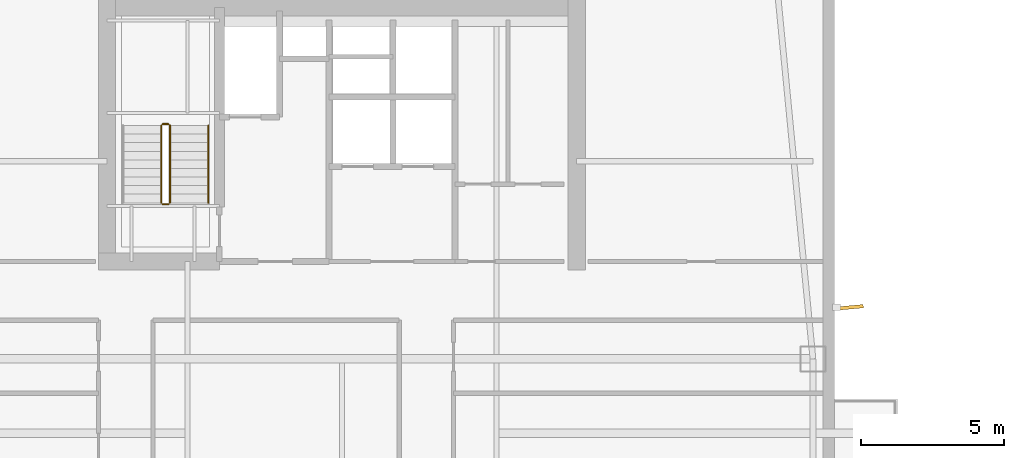
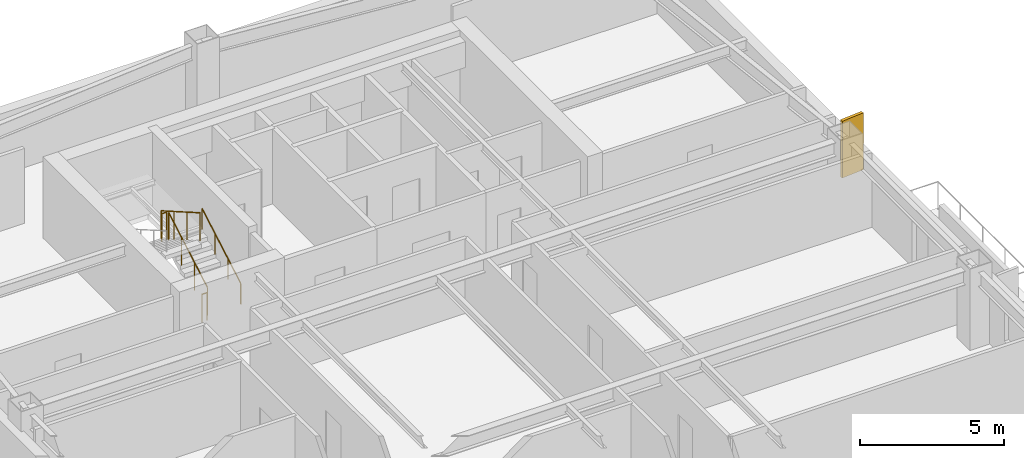
# One storey, part 16 of 18: 5 railings, 1 shading device.
"""IFC4 building model written with IfcOpenShell, lengths in metres."""

import ifcopenshell
import ifcopenshell.guid

model = None  # the IFC model being written
_history = None  # IfcOwnerHistory: only IFC2X3 demands one
_inside = {}  # id of a spatial element -> (the spatial element, [elements in it])
_under = {}  # id of a project, library or spatial element -> (it, [spatial elements below it])
_declared = {}  # id of a project -> (the project, [libraries it declares])
_typed = {}  # id of a type object -> (the type object, [elements of that type])
_made_of = {}  # id of a material, layer set ... -> (it, [elements and type objects made of it])


def new_model(schema):
    """Start an empty IFC model of exactly this schema.

    Asked for "IFC4X3", IfcOpenShell would pick the latest addendum, in which some entities
    have other attributes; the version numbers below select the first issue.
    IFC2X3 requires an IfcOwnerHistory on every rooted entity: one is made here for all.
    """
    global model, _history
    if schema == "IFC4X3":
        model = ifcopenshell.file(schema_version=(4, 3, 0, 0))
    else:
        model = ifcopenshell.file(schema=schema)
    _inside.clear()
    _under.clear()
    _declared.clear()
    _typed.clear()
    _made_of.clear()
    _history = None
    if model.schema == "IFC2X3":
        org = make("IfcOrganization", Name="unknown")
        user = make(
            "IfcPersonAndOrganization",
            ThePerson=make("IfcPerson", FamilyName="unknown"),
            TheOrganization=org,
        )
        app = make(
            "IfcApplication",
            ApplicationDeveloper=org,
            Version="unknown",
            ApplicationFullName="unknown",
            ApplicationIdentifier="unknown",
        )
        _history = make(
            "IfcOwnerHistory",
            OwningUser=user,
            OwningApplication=app,
            ChangeAction="ADDED",
            CreationDate=0,
        )
    return model


def make(cls, **values):
    """One entity of the class cls with the attributes given. An attribute that is None is left unset."""
    return model.create_entity(
        cls, **{name: value for name, value in values.items() if value is not None}
    )


def rooted(cls, **values):
    """An entity with a GlobalId (a new one), such as an element, a storey or a relation."""
    return make(cls, GlobalId=ifcopenshell.guid.new(), OwnerHistory=_history, **values)


def si_unit(unit_type, name, prefix=None):
    """IfcSIUnit, for example si_unit("LENGTHUNIT", "METRE", prefix="MILLI")."""
    return make("IfcSIUnit", UnitType=unit_type, Prefix=prefix, Name=name)


def assignment(units):
    """IfcUnitAssignment: the units of a project."""
    return None if units is None else make("IfcUnitAssignment", Units=units)


def point(xyz):
    """IfcCartesianPoint."""
    return None if xyz is None else make("IfcCartesianPoint", Coordinates=xyz)


def direction(xyz):
    """IfcDirection."""
    return None if xyz is None else make("IfcDirection", DirectionRatios=xyz)


def frame(location, z_axis=None, x_axis=None):
    """IfcAxis2Placement3D, a coordinate frame: its origin and axes. An axis left out is left unset."""
    return make(
        "IfcAxis2Placement3D",
        Location=point(location),
        Axis=direction(z_axis),
        RefDirection=direction(x_axis),
    )


def frame_2d(location, x_axis=None):
    """IfcAxis2Placement2D, a coordinate frame in the plane: its origin and x axis."""
    return make(
        "IfcAxis2Placement2D", Location=point(location), RefDirection=direction(x_axis)
    )


def origin():
    """The frame at (0, 0, 0) with its axes left unset."""
    return frame((0.0, 0.0, 0.0))


def origin_2d():
    """The frame at (0, 0) in the plane with its x axis left unset."""
    return frame_2d((0.0, 0.0))


def place(relative_to, where):
    """IfcLocalPlacement: puts the frame where relative to a parent placement (None: the world)."""
    return make(
        "IfcLocalPlacement", PlacementRelTo=relative_to, RelativePlacement=where
    )


def context(
    kind, dimensions, precision=None, world=None, true_north=None, identifier=None
):
    """IfcGeometricRepresentationContext, for example the 3D "Model" context."""
    return make(
        "IfcGeometricRepresentationContext",
        ContextIdentifier=identifier,
        ContextType=kind,
        CoordinateSpaceDimension=dimensions,
        Precision=precision,
        WorldCoordinateSystem=world,
        TrueNorth=true_north,
    )


def subcontext(parent, identifier, kind, view, scale=None):
    """IfcGeometricRepresentationSubContext, for example "Body" below "Model"."""
    return make(
        "IfcGeometricRepresentationSubContext",
        ContextIdentifier=identifier,
        ContextType=kind,
        ParentContext=parent,
        TargetScale=scale,
        TargetView=view,
    )


def project(units=None, contexts=None):
    """IfcProject with its units and contexts."""
    return rooted(
        "IfcProject",
        Name="project",
        RepresentationContexts=contexts,
        UnitsInContext=assignment(units),
    )


def spatial(cls, under=None, at=None, **own):
    """A site, building, storey or space (cls), placed at a placement, below another one or the project."""
    s = rooted(cls, ObjectPlacement=at, **own)
    if under is not None:
        _under.setdefault(under.id(), (under, []))[1].append(s)
    return s


def profile(cls, at=None, kind="AREA", **sizes):
    """A parametric profile (cls). Its sizes go by their IFC names, for example OverallWidth=200.0."""
    return make(cls, ProfileType=kind, Position=at, **sizes)


def rectangle(**sizes):
    """IfcRectangleProfileDef."""
    return profile("IfcRectangleProfileDef", **sizes)


def circle(**sizes):
    """IfcCircleProfileDef."""
    return profile("IfcCircleProfileDef", **sizes)


def extrude(swept, where, along, depth):
    """IfcExtrudedAreaSolid: the profile swept, set in the frame where, extruded along a direction by depth."""
    return make(
        "IfcExtrudedAreaSolid",
        SweptArea=swept,
        Position=where,
        ExtrudedDirection=direction(along),
        Depth=depth,
    )


def shape(context_of_items, identifier, shape_type, items):
    """IfcShapeRepresentation: the items that make up one representation, for example the "Body"."""
    return make(
        "IfcShapeRepresentation",
        ContextOfItems=context_of_items,
        RepresentationIdentifier=identifier,
        RepresentationType=shape_type,
        Items=items,
    )


def material(Name=None, Category=None):
    """IfcMaterial."""
    return make("IfcMaterial", Name=Name, Category=Category)


def layer(
    of_material, thickness, ventilated=None, Name=None, Category=None, Priority=None
):
    """IfcMaterialLayer: one layer of a wall or slab, of a material (None: an air gap)."""
    return make(
        "IfcMaterialLayer",
        Material=of_material,
        LayerThickness=thickness,
        IsVentilated=ventilated,
        Name=Name,
        Category=Category,
        Priority=Priority,
    )


def layer_set(layers, Name=None):
    """IfcMaterialLayerSet."""
    return make("IfcMaterialLayerSet", MaterialLayers=layers, LayerSetName=Name)


def made_of(thing, what):
    """Note that an element or type object is made of a material, layer set ...; save() writes the relation."""
    if what is not None:
        _made_of.setdefault(what.id(), (what, []))[1].append(thing)
    return thing


def type_object(cls, material=None, **own):
    """A type object (cls), such as IfcWallType, which elements share."""
    return made_of(rooted(cls, **own), material)


def element(
    cls,
    number,
    at=None,
    inside=None,
    cuts=None,
    type_object=None,
    material=None,
    context=None,
    identifier="Body",
    shape_type=None,
    held_by="IfcProductDefinitionShape",
    body=None,
    shapes=None,
    **own,
):
    """One element of the class cls, such as IfcWall. Its Tag is "e" and its number.

    at: its placement. inside: the storey or other place that contains it. cuts: it is an
    opening in that element (IfcRelVoidsElement). A single representation is given by context,
    identifier, shape_type and body (its items); several are given by shapes. held_by: the class
    of the entity that holds the representations. save() writes the other relations.
    """
    e = rooted(cls, Tag="e%d" % number, ObjectPlacement=at, **own)
    if body is not None:
        shapes = [shape(context, identifier, shape_type, body)]
    if shapes is not None:
        e.Representation = make(held_by, Representations=shapes)
    if inside is not None:
        _inside.setdefault(inside.id(), (inside, []))[1].append(e)
    if cuts is not None:
        rooted(
            "IfcRelVoidsElement", RelatingBuildingElement=cuts, RelatedOpeningElement=e
        )
    if type_object is not None:
        _typed.setdefault(type_object.id(), (type_object, []))[1].append(e)
    return made_of(e, material)


def aggregate(whole, parts):
    """IfcRelAggregates: a whole, such as a stair, and the parts it consists of."""
    return rooted("IfcRelAggregates", RelatingObject=whole, RelatedObjects=parts)


def save(model, path):
    """Write the relations noted so far, then the file.

    IfcRelAggregates (storeys below a building ...), IfcRelContainedInSpatialStructure (elements
    in a storey), IfcRelDefinesByType, IfcRelAssociatesMaterial and IfcRelDeclares: one each for
    every whole, place, type object, material and project.
    """
    for whole, parts in _under.values():
        aggregate(whole, parts)
    for where, things in _inside.values():
        rooted(
            "IfcRelContainedInSpatialStructure",
            RelatedElements=things,
            RelatingStructure=where,
        )
    for kind, things in _typed.values():
        rooted("IfcRelDefinesByType", RelatedObjects=things, RelatingType=kind)
    for what, things in _made_of.values():
        rooted("IfcRelAssociatesMaterial", RelatedObjects=things, RelatingMaterial=what)
    for by, libraries in _declared.values():
        rooted("IfcRelDeclares", RelatingContext=by, RelatedDefinitions=libraries)
    model.write(path)


model = new_model("IFC4")

# Units and contexts
model_context = context("Model", 3, precision=1e-05, world=origin(), true_north=direction((0.0, 1.0)))
body_context = subcontext(model_context, "Body", "Model", "MODEL_VIEW")
ifc_project = project(units=[si_unit("LENGTHUNIT", "METRE"), si_unit("AREAUNIT", "SQUARE_METRE"), si_unit("VOLUMEUNIT", "CUBIC_METRE"), si_unit("PLANEANGLEUNIT", "RADIAN"), si_unit("MASSUNIT", "GRAM", prefix="KILO")], contexts=[model_context])

# Site, building, storey
site_placement = place(None, origin())
site = spatial("IfcSite", under=ifc_project, at=site_placement, CompositionType="ELEMENT")
building_placement = place(site_placement, origin())
building = spatial("IfcBuilding", under=site, at=building_placement, Name="Qiaolan Cultural Towers", CompositionType="ELEMENT")
storey_placement = place(building_placement, frame((0.0, 0.0, 163.300048828125)))
storey = spatial("IfcBuildingStorey", under=building, at=storey_placement, Name="L43", CompositionType="ELEMENT", Elevation=163.300048828125)

# Railings
ifc_material_1 = material(Name="Galvanized Painted Steel Stair Guardrail", Category="steel")
railing_type_1 = type_object("IfcRailingType", Name="RL-STAIR-GRD", PredefinedType="GUARDRAIL", material=ifc_material_1)
railing_1_placement = place(storey_placement, frame((23.989990234375, 48.449951171875, 0.17236328125)))
element("IfcRailing", 1, at=railing_1_placement, inside=storey, type_object=railing_type_1, Name="L43 ST-W2 stair guard 1", PredefinedType="GUARDRAIL", context=body_context, shape_type="SweptSolid", body=[
    extrude(circle(Radius=0.02392578125, at=origin_2d()), frame((0.0, 0.0, 1.17578125), z_axis=(0.0, 0.866903762492, 0.498475542607), x_axis=(-1.0, 0.0, 0.0)), (0.0, 0.0, 1.0), 3.114501953125),
    extrude(circle(Radius=0.02099609375, at=origin_2d()), origin(), (0.0, 0.0, 1.0), 1.15185546875),
    extrude(circle(Radius=0.02099609375, at=origin_2d()), frame((0.0, 0.89990234375, 0.517578125)), (0.0, 0.0, 1.0), 1.15185546875),
    extrude(circle(Radius=0.02099609375, at=origin_2d()), frame((0.0, 1.800048828125, 1.034912109375)), (0.0, 0.0, 1.0), 1.15185546875),
    extrude(circle(Radius=0.02099609375, at=origin_2d()), frame((0.0, 2.699951171875, 1.552490234375)), (0.0, 0.0, 1.0), 1.15185546875),
])
railing_2_placement = place(storey_placement, frame((23.93994140625, 51.199951171875, 1.724853515625)))
element("IfcRailing", 2, at=railing_2_placement, inside=storey, type_object=railing_type_1, Name="L43 ST-W2 stair guard 2", PredefinedType="GUARDRAIL", context=body_context, shape_type="SweptSolid", body=[
    extrude(circle(Radius=0.02392578125, at=origin_2d()), frame((0.0, 0.0, 1.17578125), z_axis=(-1.0, 0.0, 0.0), x_axis=(0.0, -1.0, 0.0)), (0.0, 0.0, 1.0), 0.199951171875),
    extrude(circle(Radius=0.02099609375, at=origin_2d()), origin(), (0.0, 0.0, 1.0), 1.15185546875),
    extrude(circle(Radius=0.02099609375, at=origin_2d()), frame((-0.199951171875, 0.0, 0.0)), (0.0, 0.0, 1.0), 1.15185546875),
])
railing_3_placement = place(storey_placement, frame((23.68994140625, 51.14990234375, 1.8974609375)))
element("IfcRailing", 3, at=railing_3_placement, inside=storey, type_object=railing_type_1, Name="L43 ST-W2 stair guard 3", PredefinedType="GUARDRAIL", context=body_context, shape_type="SweptSolid", body=[
    extrude(circle(Radius=0.02392578125, at=origin_2d()), frame((0.0, 0.0, 1.17578125), z_axis=(0.0, -0.866903762492, 0.498475542607), x_axis=(1.0, 0.0, 0.0)), (0.0, 0.0, 1.0), 3.114501953125),
    extrude(circle(Radius=0.02099609375, at=origin_2d()), origin(), (0.0, 0.0, 1.0), 1.15185546875),
    extrude(circle(Radius=0.02099609375, at=origin_2d()), frame((0.0, -0.89990234375, 0.517578125)), (0.0, 0.0, 1.0), 1.15185546875),
    extrude(circle(Radius=0.02099609375, at=origin_2d()), frame((0.0, -1.800048828125, 1.034912109375)), (0.0, 0.0, 1.0), 1.15185546875),
    extrude(circle(Radius=0.02099609375, at=origin_2d()), frame((0.0, -2.699951171875, 1.552490234375)), (0.0, 0.0, 1.0), 1.15185546875),
])
railing_4_placement = place(storey_placement, frame((23.93994140625, 48.39990234375, 0.0)))
element("IfcRailing", 4, at=railing_4_placement, inside=storey, type_object=railing_type_1, Name="L43 ST-W2 stair guard 4", PredefinedType="GUARDRAIL", context=body_context, shape_type="SweptSolid", body=[
    extrude(circle(Radius=0.02392578125, at=origin_2d()), frame((0.0, 0.0, 1.17578125), z_axis=(-1.0, 0.0, 0.0), x_axis=(0.0, -1.0, 0.0)), (0.0, 0.0, 1.0), 0.199951171875),
    extrude(circle(Radius=0.02099609375, at=origin_2d()), origin(), (0.0, 0.0, 1.0), 1.15185546875),
    extrude(circle(Radius=0.02099609375, at=origin_2d()), frame((-0.199951171875, 0.0, 0.0)), (0.0, 0.0, 1.0), 1.15185546875),
])
ifc_material_2 = material(Name="Stainless Steel S30408 Tubular Handrail", Category="steel")
railing_type_2 = type_object("IfcRailingType", Name="RL-STAIR-HR", PredefinedType="HANDRAIL", material=ifc_material_2)
railing_5_placement = place(storey_placement, frame((25.330078125, 48.449951171875, 0.17236328125)))
element("IfcRailing", 5, at=railing_5_placement, inside=storey, type_object=railing_type_2, Name="L43 ST-W2 stair handrail 1", PredefinedType="HANDRAIL", context=body_context, shape_type="SweptSolid", body=[
    extrude(circle(Radius=0.02392578125, at=origin_2d()), frame((0.0, 0.0, 0.8759765625), z_axis=(0.0, 0.866903762492, 0.498475542607), x_axis=(-1.0, 0.0, 0.0)), (0.0, 0.0, 1.0), 3.114501953125),
    extrude(circle(Radius=0.02099609375, at=origin_2d()), origin(), (0.0, 0.0, 1.0), 0.851806640625),
    extrude(circle(Radius=0.02099609375, at=origin_2d()), frame((0.0, 0.89990234375, 0.517578125)), (0.0, 0.0, 1.0), 0.851806640625),
    extrude(circle(Radius=0.02099609375, at=origin_2d()), frame((0.0, 1.800048828125, 1.034912109375)), (0.0, 0.0, 1.0), 0.851806640625),
    extrude(circle(Radius=0.02099609375, at=origin_2d()), frame((0.0, 2.699951171875, 1.552490234375)), (0.0, 0.0, 1.0), 0.851806640625),
])

# Shading device
ifc_material_3 = material(Name="Pierced Warm Terracotta Acoustic Fin", Category="masonry")
ifc_layer = layer(ifc_material_3, 0.1201171875)
ifc_layer_set = layer_set([ifc_layer], Name="Pierced Warm Terracotta Acoustic Fin")
shading_device_type = type_object("IfcShadingDeviceType", Name="SHD-FIN-PIERCED", PredefinedType="USERDEFINED", material=ifc_layer_set)
shading_device_placement = place(storey_placement, frame((47.760009765625, 44.800048828125, 0.10009765625), z_axis=(0.0, 0.0, 1.0), x_axis=(0.995993912618, 0.089421060319, 0.0)))
element("IfcShadingDevice", 6, at=shading_device_placement, inside=storey, type_object=shading_device_type, Name="L43 T1 Expressive Precast Vertical Fin E3", ObjectType="FIN", PredefinedType="USERDEFINED", context=body_context, shape_type="SweptSolid", body=[
    extrude(rectangle(XDim=0.89990234375, YDim=0.1201171875, at=origin_2d()), origin(), (0.0, 0.0, 1.0), 2.409912109375),
])

save(model, "model.ifc")
